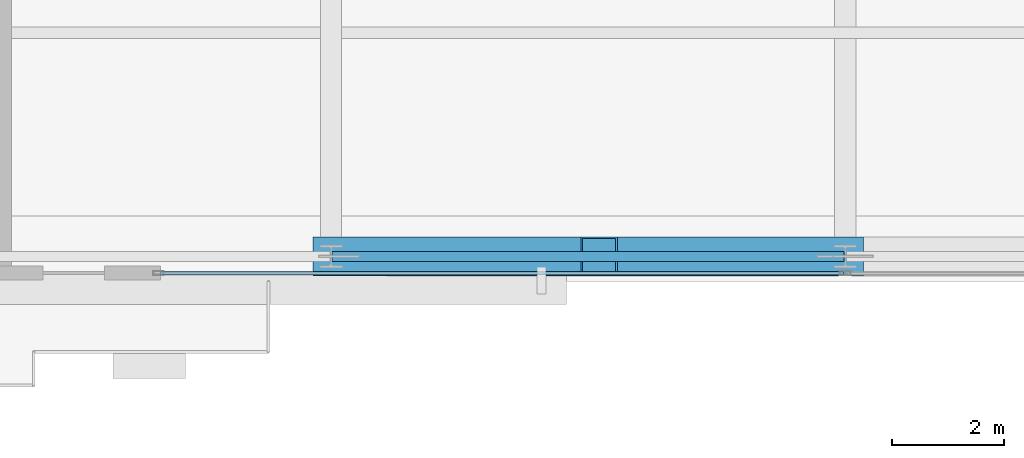
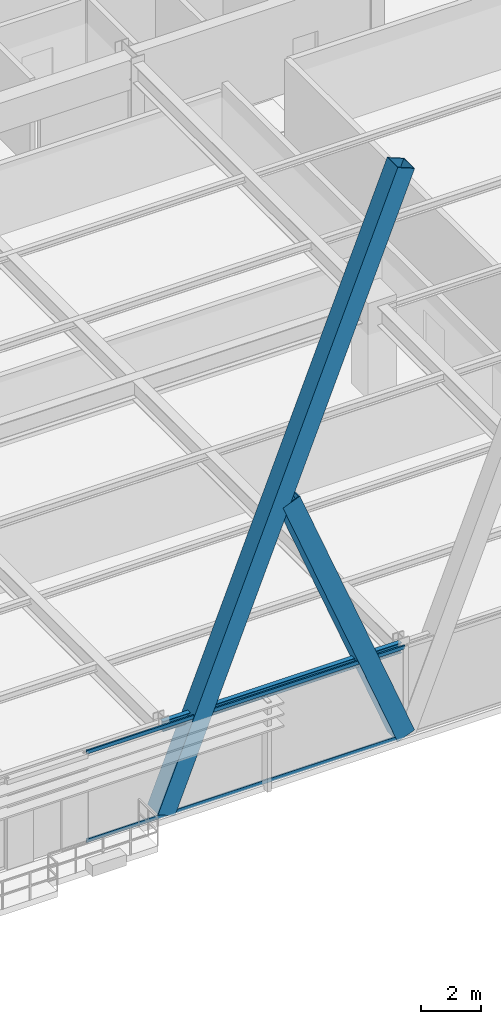
# One storey, part 6 of 32: 4 members, 1 beam, 1 element without a shape of its own.
"""IFC4 building model written with IfcOpenShell, lengths in metres."""

from ifc_helpers import new_model, si_unit, direction, frame, origin, origin_2d, place, context, subcontext, project, spatial, hollow_rectangle, i_section, extrude, source, transform, mapped, material, layer, layer_set, material_profile, profile_set, type_object, type_shapes, element, aggregate, save


model = new_model("IFC4")

# Units and contexts
model_context = context("Model", 3, precision=1e-05, world=origin(), true_north=direction((0.0, 1.0)))
body_context = subcontext(model_context, "Body", "Model", "MODEL_VIEW")
ifc_project = project(units=[si_unit("LENGTHUNIT", "METRE"), si_unit("AREAUNIT", "SQUARE_METRE"), si_unit("VOLUMEUNIT", "CUBIC_METRE"), si_unit("PLANEANGLEUNIT", "RADIAN"), si_unit("MASSUNIT", "GRAM", prefix="KILO")], contexts=[model_context])

# Site, building, storey
site_placement = place(None, origin())
site = spatial("IfcSite", under=ifc_project, at=site_placement, CompositionType="ELEMENT")
building_placement = place(site_placement, origin())
building = spatial("IfcBuilding", under=site, at=building_placement, Name="Varnel Quay Broadcast Tower", CompositionType="ELEMENT")
storey_placement = place(building_placement, frame((0.0, 0.0, 58.800048828125)))
storey = spatial("IfcBuildingStorey", under=building, at=storey_placement, Name="L13", CompositionType="ELEMENT", Elevation=58.800048828125)

# Beam
ifc_material_1 = material(Name="Structural Steel CSA G40.21 350W", Category="steel")
ifc_material_profile_1 = material_profile(ifc_material_1, i_section(OverallWidth=0.180908203125, OverallDepth=0.4169921875, WebThickness=0.010986328125, FlangeThickness=0.018310546875, FilletRadius=0.011962890625, at=origin_2d()), Name="W410X85")
ifc_profile_set_1 = profile_set([ifc_material_profile_1], Name="Structural Steel CSA G40.21 350W")
beam_type = type_object("IfcBeamType", Name="Beam_W410X85", PredefinedType="SPANDREL", material=ifc_profile_set_1)
shared_shape_1 = source(origin(), body_context, "Body", "SweptSolid", [
    extrude(i_section(OverallWidth=0.180908203125, OverallDepth=0.4169921875, WebThickness=0.010986328125, FlangeThickness=0.018310546875, FilletRadius=0.011962890625, at=origin_2d()), origin(), (0.0, 0.0, 1.0), 9.159912109375),
])
type_shapes(beam_type, [shared_shape_1])
beam_placement = place(storey_placement, frame((24.820068359375, 1.64990234375, 3.44140625), z_axis=(1.0, 0.0, 0.0), x_axis=(0.0, 1.0, 0.0)))
element("IfcBeam", 1, at=beam_placement, inside=storey, type_object=beam_type, Name="L13 South Spandrel TC-S2-TC-S3", PredefinedType="SPANDREL", context=body_context, shape_type="MappedRepresentation", body=[
    mapped(shared_shape_1, transform((0.0, 0.0, 0.0), x_axis=(1.0, 0.0, 0.0), y_axis=(0.0, 1.0, 0.0), z_axis=(0.0, 0.0, 1.0), scale=1.0)),
])

# Members
ifc_material_2 = material(Name="Structural Steel CSA G40.21 350WT", Category="steel")
ifc_material_profile_2 = material_profile(ifc_material_2, hollow_rectangle(XDim=0.699951171875, YDim=0.699951171875, WallThickness=0.031982421875, at=origin_2d()), Name="BOX700X700X32")
ifc_profile_set_2 = profile_set([ifc_material_profile_2], Name="Structural Steel CSA G40.21 350WT")
member_type_1 = type_object("IfcMemberType", Name="Brace_BOX700X700X32", PredefinedType="BRACE", material=ifc_profile_set_2)
shared_shape_2 = source(origin(), body_context, "Body", "SweptSolid", [
    extrude(hollow_rectangle(XDim=0.699951171875, YDim=0.699951171875, WallThickness=0.031982421875, at=origin_2d()), origin(), (0.0, 0.0, 1.0), 24.808837890625),
])
member_1_placement = place(storey_placement, frame((24.800048828125, 1.64990234375, 0.02001953125), z_axis=(0.370832396034, 0.0, 0.928699808362), x_axis=(0.0, 1.0, 0.0)))
element("IfcMember", 2, at=member_1_placement, inside=storey, type_object=member_type_1, Name="Zone 1 Mega-Brace S-C1T3 Continuous Diag A", PredefinedType="BRACE", context=body_context, shape_type="MappedRepresentation", body=[
    mapped(shared_shape_2, transform((0.0, 0.0, 0.0), x_axis=(1.0, 0.0, 0.0), y_axis=(0.0, 1.0, 0.0), z_axis=(0.0, 0.0, 1.0), scale=1.0)),
])
shared_shape_3 = source(origin(), body_context, "Body", "SweptSolid", [
    extrude(hollow_rectangle(XDim=0.699951171875, YDim=0.699951171875, WallThickness=0.031982421875, at=origin_2d()), origin(), (0.0, 0.0, 1.0), 11.871337890625),
])
type_shapes(member_type_1, [shared_shape_2, shared_shape_3])
member_2_placement = place(storey_placement, frame((34.0, 1.64990234375, 0.02001953125), z_axis=(-0.370837468856, 0.0, 0.928697782754), x_axis=(0.0, -1.0, 0.0)))
element("IfcMember", 3, at=member_2_placement, inside=storey, type_object=member_type_1, Name="Zone 1 Mega-Brace S-C1T3 Split Diag B1", PredefinedType="BRACE", context=body_context, shape_type="MappedRepresentation", body=[
    mapped(shared_shape_3, transform((0.0, 0.0, 0.0), x_axis=(1.0, 0.0, 0.0), y_axis=(0.0, 1.0, 0.0), z_axis=(0.0, 0.0, 1.0), scale=1.0)),
])

# Curtain wall, members
ifc_material_3 = material(Name="Anodised Bronze Aluminium 6063-T6", Category="aluminium")
ifc_layer = layer(ifc_material_3, 0.18994140625, Name="Anodised Bronze Aluminium 6063-T6")
ifc_layer_set = layer_set([ifc_layer], Name="Anodised Bronze Aluminium 6063-T6")
curtain_wall_type = type_object("IfcCurtainWallType", Name="CW_LowerTower", PredefinedType="NOTDEFINED", material=ifc_layer_set)
curtain_wall_placement = place(storey_placement, origin())
curtain_wall = element("IfcCurtainWall", 4, at=curtain_wall_placement, inside=storey, type_object=curtain_wall_type, Name="L13 South Unitised Curtain Wall 2", PredefinedType="NOTDEFINED")
ifc_material_profile_3 = material_profile(ifc_material_3, hollow_rectangle(XDim=0.06005859375, YDim=0.14501953125, WallThickness=0.00341796875, at=origin_2d()), Name="ALU60X145X3.5")
ifc_profile_set_3 = profile_set([ifc_material_profile_3], Name="Anodised Bronze Aluminium 6063-T6")
member_type_2 = type_object("IfcMemberType", Name="Tran_CWS-02", PredefinedType="USERDEFINED", material=ifc_profile_set_3)
shared_shape_4 = source(origin(), body_context, "Body", "SweptSolid", [
    extrude(hollow_rectangle(XDim=0.06005859375, YDim=0.14501953125, WallThickness=0.00341796875, at=origin_2d()), origin(), (0.0, 0.0, 1.0), 12.215087890625),
])
type_shapes(member_type_2, [shared_shape_4])
member_3_placement = place(storey_placement, frame((21.75, 1.35009765625, 0.030029296875), z_axis=(1.0, 0.0, 0.0), x_axis=(0.0, 1.0, 0.0)))
member_3 = element("IfcMember", 5, at=member_3_placement, type_object=member_type_2, Name="CWS-02 transom 1.1", ObjectType="TRANSOM", PredefinedType="USERDEFINED", context=body_context, shape_type="MappedRepresentation", body=[
    mapped(shared_shape_4, transform((0.0, 0.0, 0.0), x_axis=(1.0, 0.0, 0.0), y_axis=(0.0, 1.0, 0.0), z_axis=(0.0, 0.0, 1.0), scale=1.0)),
])
member_4_placement = place(storey_placement, frame((21.75, 1.35009765625, 3.619873046875), z_axis=(1.0, 0.0, 0.0), x_axis=(0.0, 1.0, 0.0)))
member_4 = element("IfcMember", 6, at=member_4_placement, type_object=member_type_2, Name="CWS-02 transom 1.2", ObjectType="TRANSOM", PredefinedType="USERDEFINED", context=body_context, shape_type="MappedRepresentation", body=[
    mapped(shared_shape_4, transform((0.0, 0.0, 0.0), x_axis=(1.0, 0.0, 0.0), y_axis=(0.0, 1.0, 0.0), z_axis=(0.0, 0.0, 1.0), scale=1.0)),
])
aggregate(curtain_wall, [member_3, member_4])

save(model, "model.ifc")
